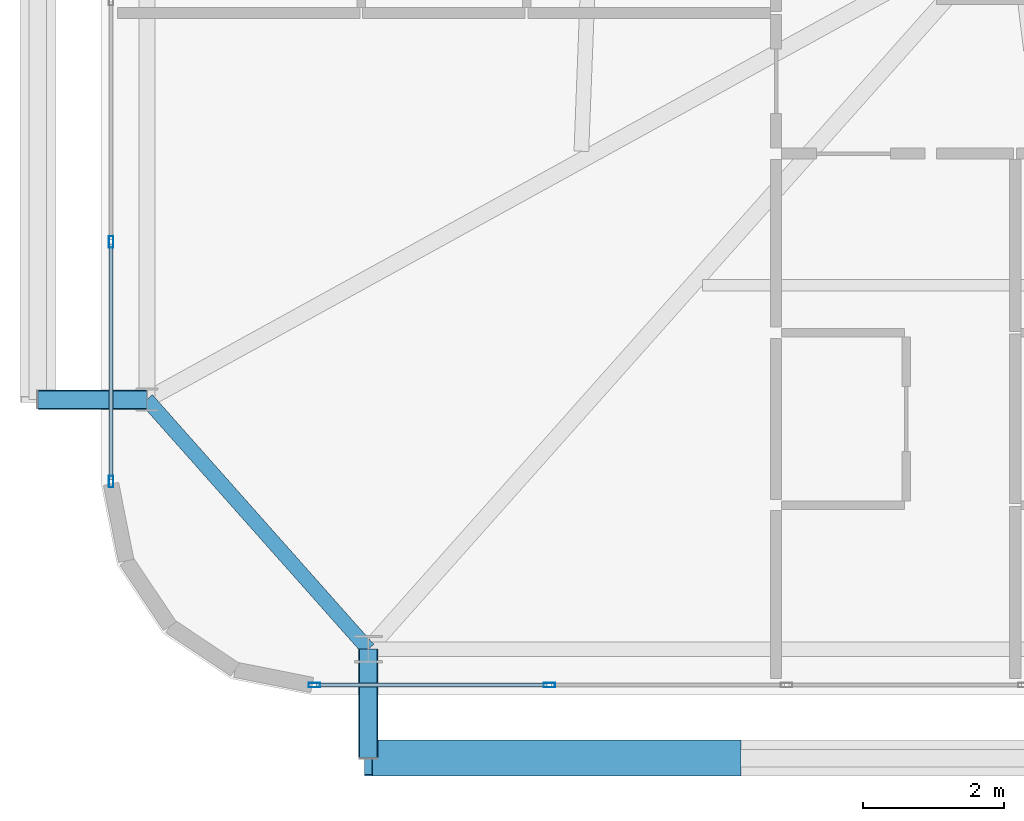
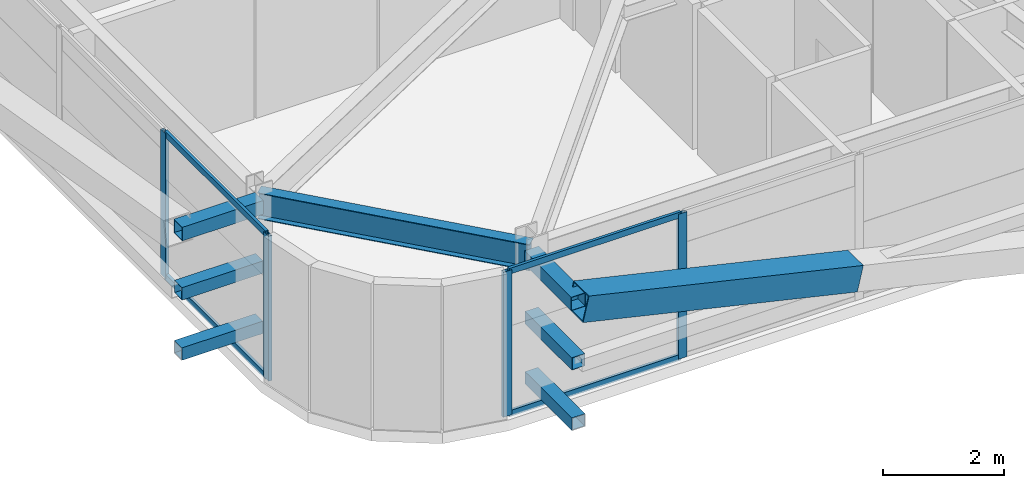
# One storey, part 5 of 59: 15 members, 1 beam, 2 elements without a shape of their own.
"""IFC4 building model written with IfcOpenShell, lengths in metres."""

from ifc_helpers import new_model, si_unit, direction, frame, origin, origin_2d, place, context, subcontext, project, spatial, hollow_rectangle, i_section, extrude, source, transform, mapped, material, layer, layer_set, material_profile, profile_set, type_object, element, aggregate, save


model = new_model("IFC4")

# Units and contexts
model_context = context("Model", 3, precision=1e-05, world=origin(), true_north=direction((0.0, 1.0)))
body_context = subcontext(model_context, "Body", "Model", "MODEL_VIEW")
ifc_project = project(units=[si_unit("LENGTHUNIT", "METRE"), si_unit("AREAUNIT", "SQUARE_METRE"), si_unit("VOLUMEUNIT", "CUBIC_METRE"), si_unit("PLANEANGLEUNIT", "RADIAN"), si_unit("MASSUNIT", "GRAM", prefix="KILO")], contexts=[model_context])

# Site, building, storey
site_placement = place(None, origin())
site = spatial("IfcSite", under=ifc_project, at=site_placement, CompositionType="ELEMENT")
building_placement = place(site_placement, origin())
building = spatial("IfcBuilding", under=site, at=building_placement, Name="Taldren Reach Tower", CompositionType="ELEMENT")
storey_placement = place(building_placement, frame((0.0, 0.0, 19.949951171875)))
storey = spatial("IfcBuildingStorey", under=building, at=storey_placement, Name="L05", CompositionType="ELEMENT", Elevation=19.949951171875)

# Beam
ifc_material_1 = material(Name="Steel Gr 350 (350PLUS)", Category="steel")
ifc_material_profile_1 = material_profile(ifc_material_1, i_section(OverallWidth=0.208984375, OverallDepth=0.528076171875, WebThickness=0.009521484375, FlangeThickness=0.01318359375, at=origin_2d()), Name="530UB82.0")
ifc_profile_set_1 = profile_set([ifc_material_profile_1], Name="Steel Gr 350 (350PLUS)")
beam_type = type_object("IfcBeamType", Name="SP-UB530B", PredefinedType="SPANDREL", material=ifc_profile_set_1)
shared_shape_1 = source(origin(), body_context, "Body", "SweptSolid", [
    extrude(i_section(OverallWidth=0.208984375, OverallDepth=0.528076171875, WebThickness=0.009521484375, FlangeThickness=0.01318359375, at=origin_2d()), origin(), (0.0, 0.0, 1.0), 4.74609375),
])
beam_placement = place(storey_placement, frame((5.64990234375, 5.699951171875, 2.666015625), z_axis=(0.663721843779, -0.747979487747, 0.0), x_axis=(0.747979487747, 0.663721843779, 0.0)))
element("IfcBeam", 1, at=beam_placement, inside=storey, type_object=beam_type, Name="Perimeter spandrel B1 W1-S1 L05", PredefinedType="SPANDREL", context=body_context, shape_type="MappedRepresentation", body=[
    mapped(shared_shape_1, transform((0.0, 0.0, 0.0), scale=1.0)),
])

# Members
ifc_material_2 = material(Name="Steel Gr 450 (C450L0)", Category="steel")
ifc_material_profile_2 = material_profile(ifc_material_2, hollow_rectangle(XDim=0.27490234375, YDim=0.27490234375, WallThickness=0.00927734375, at=origin_2d()), Name="275x275x9.3SHS")
ifc_profile_set_2 = profile_set([ifc_material_profile_2], Name="Steel Gr 450 (C450L0)")
member_type_1 = type_object("IfcMemberType", Name="MB-TIE273", PredefinedType="STRUT", material=ifc_profile_set_2)
shared_shape_2 = source(origin(), body_context, "Body", "SweptSolid", [
    extrude(hollow_rectangle(XDim=0.27490234375, YDim=0.27490234375, WallThickness=0.00927734375, at=origin_2d()), origin(), (0.0, 0.0, 1.0), 1.5498046875),
])
for number, where, z_axis, x_axis, name in (
    (2, (8.800048828125, 2.14990234375, 2.650146484375), (0.0, -1.0, 0.0), (1.0, 0.0, 0.0), "Exoskeleton diaphragm tie strut B1-S1 L05"),
    (3, (5.64990234375, 5.699951171875, 2.650146484375), (-1.0, 0.0, 0.0), (0.0, -1.0, 0.0), "Exoskeleton diaphragm tie strut B1-W1 L05"),
):
    element("IfcMember", number, at=place(storey_placement, frame(where, z_axis=z_axis, x_axis=x_axis)), inside=storey, type_object=member_type_1, Name=name, PredefinedType="STRUT", context=body_context, shape_type="MappedRepresentation", body=[
        mapped(shared_shape_2, transform((0.0, 0.0, 0.0), scale=1.0)),
    ])
ifc_material_profile_3 = material_profile(ifc_material_2, hollow_rectangle(XDim=0.510009765625, YDim=0.510009765625, WallThickness=0.02001953125, at=origin_2d()), Name="510x510x20.0SHS")
ifc_profile_set_3 = profile_set([ifc_material_profile_3], Name="Steel Gr 450 (C450L0)")
member_type_2 = type_object("IfcMemberType", Name="MB-EXO508", PredefinedType="BRACE", material=ifc_profile_set_3)
shared_shape_3 = source(origin(), body_context, "Body", "SweptSolid", [
    extrude(hollow_rectangle(XDim=0.510009765625, YDim=0.510009765625, WallThickness=0.02001953125, at=origin_2d()), origin(), (0.0, 0.0, 1.0), 5.37890625),
])
member_1_placement = place(storey_placement, frame((14.0400390625, 0.60009765625, 1.43505859375), z_axis=(-0.97415197996, 0.0, 0.225893603143), x_axis=(0.0, -1.0, 0.0)))
element("IfcMember", 4, at=member_1_placement, inside=storey, type_object=member_type_2, Name="Exoskeleton Diagrid Brace B1-S1 L05", PredefinedType="BRACE", context=body_context, shape_type="MappedRepresentation", body=[
    mapped(shared_shape_3, transform((0.0, 0.0, 0.0), scale=1.0)),
])
ifc_material_3 = material(Name="Steel Gr 350 (C350L0)", Category="steel")
ifc_material_profile_4 = material_profile(ifc_material_3, hollow_rectangle(XDim=0.25, YDim=0.25, WallThickness=0.010009765625, at=origin_2d()), Name="250x250x10.0SHS")
ifc_profile_set_4 = profile_set([ifc_material_profile_4], Name="Steel Gr 350 (C350L0)")
member_type_3 = type_object("IfcMemberType", Name="MB-POST250", PredefinedType="POST", material=ifc_profile_set_4)
shared_shape_4 = source(origin(), body_context, "Body", "SweptSolid", [
    extrude(hollow_rectangle(XDim=0.25, YDim=0.25, WallThickness=0.010009765625, at=origin_2d()), origin(), (0.0, 0.0, 1.0), 1.5498046875),
])
for number, where, z_axis, x_axis, name in (
    (5, (8.800048828125, 2.14990234375, 0.219970703125), (0.0, -1.0, 0.0), (1.0, 0.0, 0.0), "Exoskeleton base diaphragm tie strut B1-S1 L05"),
    (6, (5.64990234375, 5.699951171875, 0.219970703125), (-1.0, 0.0, 0.0), (0.0, -1.0, 0.0), "Exoskeleton base diaphragm tie strut B1-W1 L05"),
    (7, (8.800048828125, 2.14990234375, 1.43505859375), (0.0, -1.0, 0.0), (1.0, 0.0, 0.0), "Exoskeleton mid-tier diaphragm tie B1-S1 L05"),
    (8, (5.64990234375, 5.699951171875, 1.43505859375), (-1.0, 0.0, 0.0), (0.0, -1.0, 0.0), "Exoskeleton mid-tier diaphragm tie B1-W1 L05"),
):
    element("IfcMember", number, at=place(storey_placement, frame(where, z_axis=z_axis, x_axis=x_axis)), inside=storey, type_object=member_type_3, Name=name, PredefinedType="POST", context=body_context, shape_type="MappedRepresentation", body=[
        mapped(shared_shape_4, transform((0.0, 0.0, 0.0), scale=1.0)),
    ])

# Curtain wall, members
ifc_material_4 = material(Name="Aluminium and Low-E Glass Unitised System", Category="aluminium")
ifc_layer = layer(ifc_material_4, 0.159912109375)
ifc_layer_set = layer_set([ifc_layer], Name="Aluminium and Low-E Glass Unitised System")
curtain_wall_type = type_object("IfcCurtainWallType", Name="CW-SYS-2", PredefinedType="NOTDEFINED", material=ifc_layer_set)
curtain_wall_1_placement = place(storey_placement, origin())
curtain_wall_1 = element("IfcCurtainWall", 9, at=curtain_wall_1_placement, inside=storey, type_object=curtain_wall_type, Name="Unitised curtain wall CW-L05-S", PredefinedType="NOTDEFINED")
ifc_material_5 = material(Name="Anodised Aluminium 6063-T6", Category="aluminium")
ifc_material_profile_5 = material_profile(ifc_material_5, hollow_rectangle(XDim=0.06494140625, YDim=0.1650390625, WallThickness=0.00390625, at=origin_2d()), Name="ALU-165x65x4RHS")
ifc_profile_set_5 = profile_set([ifc_material_profile_5], Name="Anodised Aluminium 6063-T6")
member_type_4 = type_object("IfcMemberType", Name="CW-MUL-165", PredefinedType="MULLION", material=ifc_profile_set_5)
shared_shape_5 = source(origin(), body_context, "Body", "SweptSolid", [
    extrude(hollow_rectangle(XDim=0.06494140625, YDim=0.1650390625, WallThickness=0.00390625, at=origin_2d()), origin(), (0.0, 0.0, 1.0), 2.929931640625),
])
member_2_placement = place(storey_placement, frame((8.032470703125, 1.639892578125, 0.0), z_axis=(0.0, 0.0, 1.0), x_axis=(0.0, 1.0, 0.0)))
member_2 = element("IfcMember", 10, at=member_2_placement, type_object=member_type_4, Name="CW-2 mullion 1", PredefinedType="MULLION", context=body_context, shape_type="MappedRepresentation", body=[
    mapped(shared_shape_5, transform((0.0, 0.0, 0.0), scale=1.0)),
])
member_3_placement = place(storey_placement, frame((11.375, 1.639892578125, 0.0), z_axis=(0.0, 0.0, 1.0), x_axis=(0.0, 1.0, 0.0)))
member_3 = element("IfcMember", 11, at=member_3_placement, type_object=member_type_4, Name="CW-2 mullion 2", PredefinedType="MULLION", context=body_context, shape_type="MappedRepresentation", body=[
    mapped(shared_shape_5, transform((0.0, 0.0, 0.0), scale=1.0)),
])

curtain_wall_2_placement = place(storey_placement, origin())
curtain_wall_2 = element("IfcCurtainWall", 12, at=curtain_wall_2_placement, inside=storey, type_object=curtain_wall_type, Name="Unitised curtain wall CW-L05-W", PredefinedType="NOTDEFINED")
member_4_placement = place(storey_placement, frame((5.139892578125, 7.9443359375, 0.0), z_axis=(0.0, 0.0, 1.0), x_axis=(1.0, 0.0, 0.0)))
member_4 = element("IfcMember", 13, at=member_4_placement, type_object=member_type_4, Name="CW-2 mullion 9", PredefinedType="MULLION", context=body_context, shape_type="MappedRepresentation", body=[
    mapped(shared_shape_5, transform((0.0, 0.0, 0.0), scale=1.0)),
])
member_5_placement = place(storey_placement, frame((5.139892578125, 4.532470703125, 0.0), z_axis=(0.0, 0.0, 1.0), x_axis=(1.0, 0.0, 0.0)))
member_5 = element("IfcMember", 14, at=member_5_placement, type_object=member_type_4, Name="CW-2 mullion 10", PredefinedType="MULLION", context=body_context, shape_type="MappedRepresentation", body=[
    mapped(shared_shape_5, transform((0.0, 0.0, 0.0), scale=1.0)),
])

# Member
ifc_material_profile_6 = material_profile(ifc_material_5, hollow_rectangle(XDim=0.054931640625, YDim=0.1201171875, WallThickness=0.0029296875, at=origin_2d()), Name="ALU-120x55x3RHS")
ifc_profile_set_6 = profile_set([ifc_material_profile_6], Name="Anodised Aluminium 6063-T6")
member_type_5 = type_object("IfcMemberType", Name="CW-TRN-135", PredefinedType="USERDEFINED", material=ifc_profile_set_6)
shared_shape_6 = source(origin(), body_context, "Body", "SweptSolid", [
    extrude(hollow_rectangle(XDim=0.054931640625, YDim=0.1201171875, WallThickness=0.0029296875, at=origin_2d()), origin(), (0.0, 0.0, 1.0), 3.277587890625),
])
member_6_placement = place(storey_placement, frame((8.06494140625, 1.639892578125, 0.027587890625), z_axis=(1.0, 0.0, 0.0), x_axis=(0.0, 1.0, 0.0)))
member_6 = element("IfcMember", 15, at=member_6_placement, type_object=member_type_5, Name="CW-2 transom 1.1", ObjectType="TRANSOM", PredefinedType="USERDEFINED", context=body_context, shape_type="MappedRepresentation", body=[
    mapped(shared_shape_6, transform((0.0, 0.0, 0.0), scale=1.0)),
])

member_7_placement = place(storey_placement, frame((8.06494140625, 1.639892578125, 2.902587890625), z_axis=(1.0, 0.0, 0.0), x_axis=(0.0, 1.0, 0.0)))
member_7 = element("IfcMember", 16, at=member_7_placement, type_object=member_type_5, Name="CW-2 transom 1.2", ObjectType="TRANSOM", PredefinedType="USERDEFINED", context=body_context, shape_type="MappedRepresentation", body=[
    mapped(shared_shape_6, transform((0.0, 0.0, 0.0), scale=1.0)),
])

aggregate(curtain_wall_1, [member_2, member_3, member_6, member_7])

shared_shape_7 = source(origin(), body_context, "Body", "SweptSolid", [
    extrude(hollow_rectangle(XDim=0.054931640625, YDim=0.1201171875, WallThickness=0.0029296875, at=origin_2d()), origin(), (0.0, 0.0, 1.0), 3.346923828125),
])
member_8_placement = place(storey_placement, frame((5.139892578125, 7.911865234375, 0.027587890625), z_axis=(0.0, -1.0, 0.0), x_axis=(1.0, 0.0, 0.0)))
member_8 = element("IfcMember", 17, at=member_8_placement, type_object=member_type_5, Name="CW-2 transom 9.1", ObjectType="TRANSOM", PredefinedType="USERDEFINED", context=body_context, shape_type="MappedRepresentation", body=[
    mapped(shared_shape_7, transform((0.0, 0.0, 0.0), scale=1.0)),
])

member_9_placement = place(storey_placement, frame((5.139892578125, 7.911865234375, 2.902587890625), z_axis=(0.0, -1.0, 0.0), x_axis=(1.0, 0.0, 0.0)))
member_9 = element("IfcMember", 18, at=member_9_placement, type_object=member_type_5, Name="CW-2 transom 9.2", ObjectType="TRANSOM", PredefinedType="USERDEFINED", context=body_context, shape_type="MappedRepresentation", body=[
    mapped(shared_shape_7, transform((0.0, 0.0, 0.0), scale=1.0)),
])

aggregate(curtain_wall_2, [member_4, member_5, member_8, member_9])

save(model, "model.ifc")
